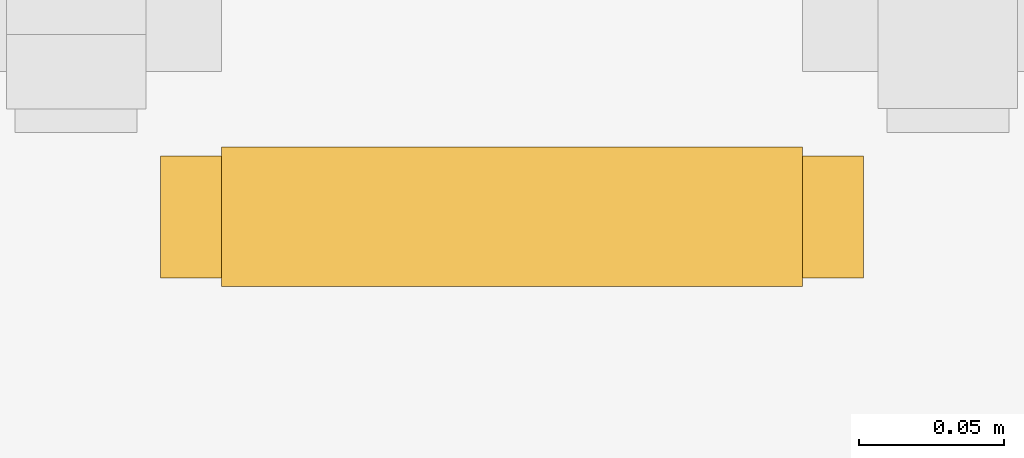
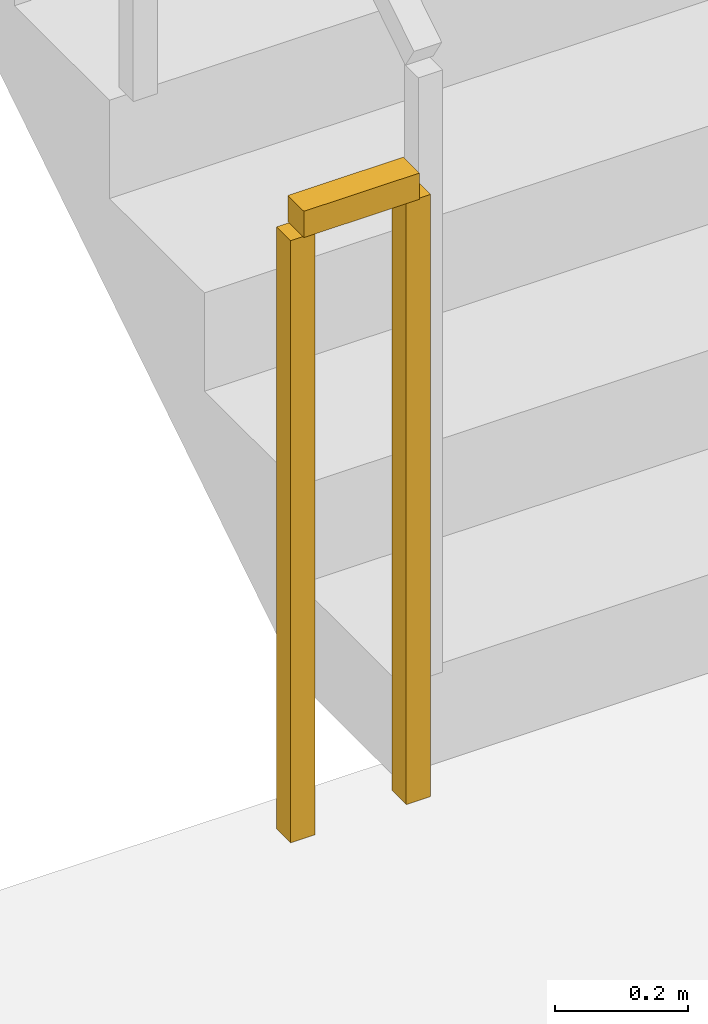
# One storey, part 22 of 24: 1 railing.
"""IFC4 building model written with IfcOpenShell, lengths in metres."""

from ifc_helpers import new_model, si_unit, direction, frame, origin, origin_2d, place, context, subcontext, project, spatial, rectangle, extrude, material, type_object, element, save


model = new_model("IFC4")

# Units and contexts
model_context = context("Model", 3, precision=1e-05, world=origin(), true_north=direction((0.0, 1.0)))
body_context = subcontext(model_context, "Body", "Model", "MODEL_VIEW")
ifc_project = project(units=[si_unit("LENGTHUNIT", "METRE"), si_unit("AREAUNIT", "SQUARE_METRE"), si_unit("VOLUMEUNIT", "CUBIC_METRE"), si_unit("PLANEANGLEUNIT", "RADIAN"), si_unit("MASSUNIT", "GRAM", prefix="KILO")], contexts=[model_context])

# Site, building, storey
site_placement = place(None, origin())
site = spatial("IfcSite", under=ifc_project, at=site_placement, CompositionType="ELEMENT")
building_placement = place(site_placement, origin())
building = spatial("IfcBuilding", under=site, at=building_placement, Name="Sarneth Arch Tower", CompositionType="ELEMENT")
storey_placement = place(building_placement, frame((0.0, 0.0, 105.60009765625)))
storey = spatial("IfcBuildingStorey", under=building, at=storey_placement, Name="L26", CompositionType="ELEMENT", Elevation=105.60009765625)

# Railing
ifc_material = material(Name="Painted Steel S275 stair well guard", Category="steel")
railing_type = type_object("IfcRailingType", Name="RAIL-STAIR-GUARD", PredefinedType="GUARDRAIL", material=ifc_material)
railing_placement = place(storey_placement, frame((39.050048828125, 41.39990234375, 0.0)))
element("IfcRailing", 1, at=railing_placement, inside=storey, type_object=railing_type, Name="L26 ST-1 stair guard 4", PredefinedType="GUARDRAIL", context=body_context, shape_type="SweptSolid", body=[
    extrude(rectangle(XDim=0.048095703125, YDim=0.048095703125, at=origin_2d()), frame((0.0, 0.0, 1.1259765625), z_axis=(-1.0, 0.0, 0.0), x_axis=(0.0, -1.0, 0.0)), (0.0, 0.0, 1.0), 0.199951171875),
    extrude(rectangle(XDim=0.0419921875, YDim=0.0419921875, at=origin_2d()), origin(), (0.0, 0.0, 1.0), 1.101806640625),
    extrude(rectangle(XDim=0.0419921875, YDim=0.0419921875, at=origin_2d()), frame((-0.199951171875, 0.0, 0.0)), (0.0, 0.0, 1.0), 1.101806640625),
])

save(model, "model.ifc")
